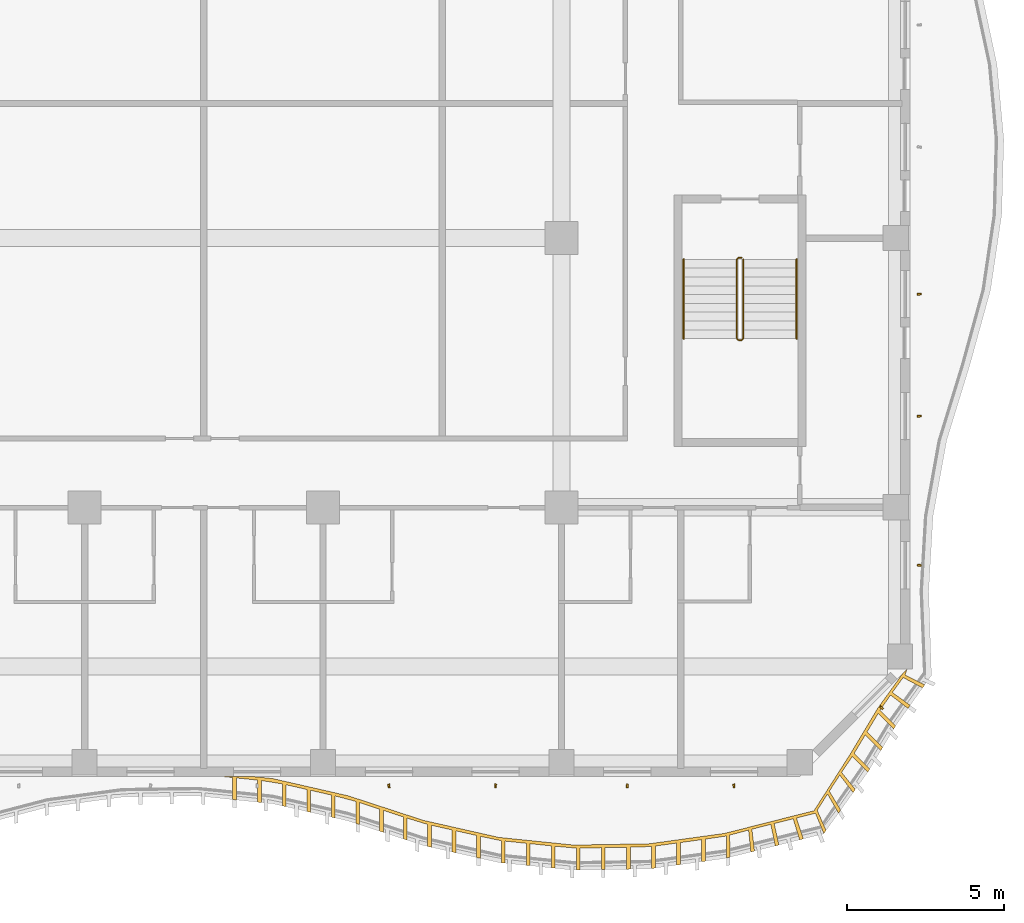
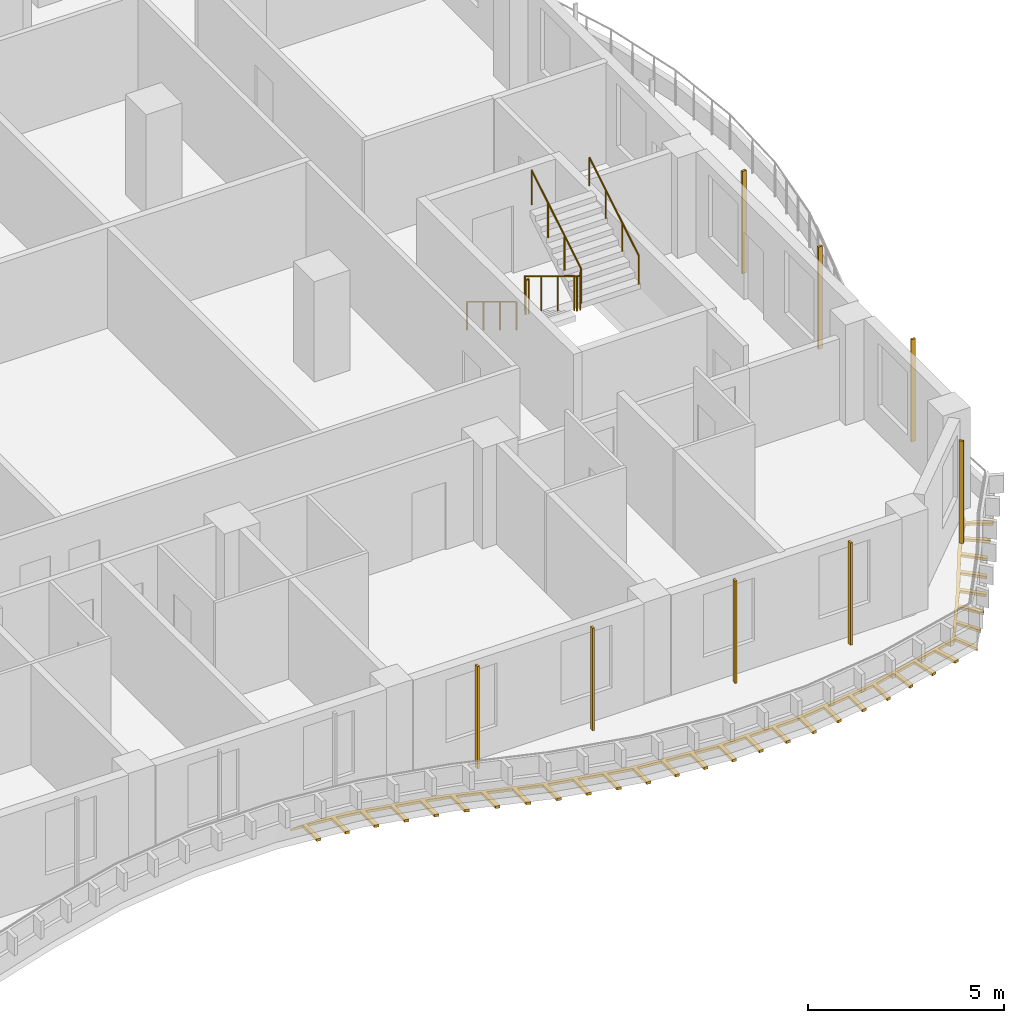
# One storey, part 18 of 21: 9 shading devices, 3 railings.
"""IFC4 building model written with IfcOpenShell, lengths in metres."""

from ifc_helpers import new_model, si_unit, direction, frame, origin, origin_2d, place, context, subcontext, project, spatial, polyline, rectangle, circle, outline, extrude, source, transform, mapped, material, layer, layer_set, material_profile, profile_set, type_object, element, save


model = new_model("IFC4")

# Units and contexts
model_context = context("Model", 3, precision=1e-05, world=origin(), true_north=direction((0.0, 1.0)))
body_context = subcontext(model_context, "Body", "Model", "MODEL_VIEW")
ifc_project = project(units=[si_unit("LENGTHUNIT", "METRE"), si_unit("AREAUNIT", "SQUARE_METRE"), si_unit("VOLUMEUNIT", "CUBIC_METRE"), si_unit("PLANEANGLEUNIT", "RADIAN"), si_unit("MASSUNIT", "GRAM", prefix="KILO")], contexts=[model_context])

# Site, building, storey
site_placement = place(None, origin())
site = spatial("IfcSite", under=ifc_project, at=site_placement, CompositionType="ELEMENT")
building_placement = place(site_placement, origin())
building = spatial("IfcBuilding", under=site, at=building_placement, Name="Kilnfold Tower and Market Hall", CompositionType="ELEMENT")
storey_placement = place(building_placement, frame((0.0, 0.0, 185.5)))
storey = spatial("IfcBuildingStorey", under=building, at=storey_placement, Name="L44", CompositionType="ELEMENT", Elevation=185.5)

# Railings
ifc_material_1 = material(Name="Stainless steel 316", Category="steel")
railing_type_1 = type_object("IfcRailingType", Name="CORE STAIR GUARD 1100", PredefinedType="GUARDRAIL", material=ifc_material_1)
railing_1_placement = place(storey_placement, frame((19.89990234375, -9.75, 0.0)))
element("IfcRailing", 1, at=railing_1_placement, inside=storey, type_object=railing_type_1, Name="L44 ST4 stair guard 1", PredefinedType="GUARDRAIL", context=body_context, shape_type="SweptSolid", body=[
    extrude(circle(Radius=0.02392578125, at=origin_2d()), frame((0.0, 0.0, 1.076171875), z_axis=(-1.0, 0.0, 0.0), x_axis=(0.0, -1.0, 0.0)), (0.0, 0.0, 1.0), 0.099853515625),
    extrude(circle(Radius=0.02392578125, at=origin_2d()), frame((-0.099853515625, 0.0, 1.076171875), z_axis=(-0.271895245746, -0.271895245746, 0.923117517265), x_axis=(0.707106781187, -0.707106781187, 0.0)), (0.0, 0.0, 1.0), 0.18408203125),
    extrude(circle(Radius=0.02392578125, at=origin_2d()), frame((-0.14990234375, -0.050048828125, 1.24609375), z_axis=(0.0, -0.85478489116, 0.518982456201), x_axis=(1.0, 0.0, 0.0)), (0.0, 0.0, 1.0), 2.9482421875),
    extrude(circle(Radius=0.02392578125, at=origin_2d()), frame((-0.14990234375, -2.570068359375, 2.77587890625), z_axis=(0.707106781187, -0.707106781187, 0.0), x_axis=(0.707106781187, 0.707106781187, 0.0)), (0.0, 0.0, 1.0), 0.07080078125),
    extrude(circle(Radius=0.02392578125, at=origin_2d()), frame((-0.099853515625, -2.6201171875, 2.77587890625), z_axis=(1.0, 0.0, 0.0), x_axis=(0.0, 1.0, 0.0)), (0.0, 0.0, 1.0), 0.099853515625),
    extrude(circle(Radius=0.02392578125, at=origin_2d()), frame((0.0, -2.6201171875, 2.77587890625), z_axis=(0.271562723297, 0.271562723297, 0.923313259209), x_axis=(-0.707106781187, 0.707106781187, 0.0)), (0.0, 0.0, 1.0), 0.184326171875),
    extrude(circle(Radius=0.02392578125, at=origin_2d()), frame((0.050048828125, -2.570068359375, 2.9462890625), z_axis=(0.0, 0.854821627497, 0.518921945155), x_axis=(-1.0, 0.0, 0.0)), (0.0, 0.0, 1.0), 2.947998046875),
    extrude(circle(Radius=0.02099609375, at=origin_2d()), origin(), (0.0, 0.0, 1.0), 1.052001953125),
    extrude(circle(Radius=0.02099609375, at=origin_2d()), frame((-0.099853515625, 0.0, 0.0)), (0.0, 0.0, 1.0), 1.052001953125),
    extrude(circle(Radius=0.02099609375, at=origin_2d()), frame((-0.14990234375, -0.050048828125, 0.169921875)), (0.0, 0.0, 1.0), 1.052001953125),
    extrude(circle(Radius=0.02099609375, at=origin_2d()), frame((-0.14990234375, -0.89013671875, 0.679931640625)), (0.0, 0.0, 1.0), 1.052001953125),
    extrude(circle(Radius=0.02099609375, at=origin_2d()), frame((-0.14990234375, -1.72998046875, 1.18994140625)), (0.0, 0.0, 1.0), 1.052001953125),
    extrude(circle(Radius=0.02099609375, at=origin_2d()), frame((-0.14990234375, -2.570068359375, 1.699951171875)), (0.0, 0.0, 1.0), 1.052001953125),
    extrude(circle(Radius=0.02099609375, at=origin_2d()), frame((-0.099853515625, -2.6201171875, 1.699951171875)), (0.0, 0.0, 1.0), 1.052001953125),
    extrude(circle(Radius=0.02099609375, at=origin_2d()), frame((0.0, -2.6201171875, 1.699951171875)), (0.0, 0.0, 1.0), 1.052001953125),
    extrude(circle(Radius=0.02099609375, at=origin_2d()), frame((0.050048828125, -2.570068359375, 1.8701171875)), (0.0, 0.0, 1.0), 1.052001953125),
    extrude(circle(Radius=0.02099609375, at=origin_2d()), frame((0.050048828125, -1.72998046875, 2.380126953125)), (0.0, 0.0, 1.0), 1.052001953125),
    extrude(circle(Radius=0.02099609375, at=origin_2d()), frame((0.050048828125, -0.89013671875, 2.889892578125)), (0.0, 0.0, 1.0), 1.052001953125),
    extrude(circle(Radius=0.02099609375, at=origin_2d()), frame((0.050048828125, -0.050048828125, 3.39990234375)), (0.0, 0.0, 1.0), 1.052001953125),
])
ifc_material_2 = material(Name="Stainless steel 316", Category="steel")
railing_type_2 = type_object("IfcRailingType", Name="CORE STAIR HANDRAIL 900", PredefinedType="HANDRAIL", material=ifc_material_2)
railing_2_placement = place(storey_placement, frame((18.050048828125, -9.800048828125, 0.169921875)))
element("IfcRailing", 2, at=railing_2_placement, inside=storey, type_object=railing_type_2, Name="L44 ST4 stair handrail 1", PredefinedType="HANDRAIL", context=body_context, shape_type="SweptSolid", body=[
    extrude(circle(Radius=0.02392578125, at=origin_2d()), frame((0.0, 0.0, 0.8759765625), z_axis=(0.0, -0.85478489116, 0.518982456201), x_axis=(1.0, 0.0, 0.0)), (0.0, 0.0, 1.0), 2.9482421875),
    extrude(circle(Radius=0.02099609375, at=origin_2d()), origin(), (0.0, 0.0, 1.0), 0.851806640625),
    extrude(circle(Radius=0.02099609375, at=origin_2d()), frame((0.0, -0.840087890625, 0.510009765625)), (0.0, 0.0, 1.0), 0.851806640625),
    extrude(circle(Radius=0.02099609375, at=origin_2d()), frame((0.0, -1.679931640625, 1.02001953125)), (0.0, 0.0, 1.0), 0.851806640625),
    extrude(circle(Radius=0.02099609375, at=origin_2d()), frame((0.0, -2.52001953125, 1.530029296875)), (0.0, 0.0, 1.0), 0.851806640625),
])
railing_3_placement = place(storey_placement, frame((21.64990234375, -12.320068359375, 1.8701171875)))
element("IfcRailing", 3, at=railing_3_placement, inside=storey, type_object=railing_type_2, Name="L44 ST4 stair handrail 2", PredefinedType="HANDRAIL", context=body_context, shape_type="SweptSolid", body=[
    extrude(circle(Radius=0.02392578125, at=origin_2d()), frame((0.0, 0.0, 0.8759765625), z_axis=(0.0, 0.854821627497, 0.518921945155), x_axis=(-1.0, 0.0, 0.0)), (0.0, 0.0, 1.0), 2.947998046875),
    extrude(circle(Radius=0.02099609375, at=origin_2d()), origin(), (0.0, 0.0, 1.0), 0.851806640625),
    extrude(circle(Radius=0.02099609375, at=origin_2d()), frame((0.0, 0.840087890625, 0.510009765625)), (0.0, 0.0, 1.0), 0.851806640625),
    extrude(circle(Radius=0.02099609375, at=origin_2d()), frame((0.0, 1.679931640625, 1.019775390625)), (0.0, 0.0, 1.0), 0.851806640625),
    extrude(circle(Radius=0.02099609375, at=origin_2d()), frame((0.0, 2.52001953125, 1.52978515625)), (0.0, 0.0, 1.0), 0.851806640625),
])

# Shading devices
ifc_material_3 = material(Name="Terracotta", Category="masonry")
ifc_material_profile = material_profile(ifc_material_3, rectangle(XDim=0.06005859375, YDim=0.1201171875, at=origin_2d()), Name="BAG 60x120")
ifc_profile_set = profile_set([ifc_material_profile], Name="Terracotta")
shading_device_type_1 = type_object("IfcShadingDeviceType", Name="BAGUETTE", PredefinedType="USERDEFINED", material=ifc_profile_set)
shared_shape_1 = source(origin(), body_context, "Body", "SweptSolid", [
    extrude(rectangle(XDim=0.06005859375, YDim=0.1201171875, at=origin_2d()), origin(), (0.0, 0.0, 1.0), 3.179931640625),
])
for number, where, z_axis, x_axis, name in (
    (4, (8.67919921875, -26.550048828125, 0.0), (0.0, 0.0, 1.0), (0.990494104356, 0.137555186148, 0.0), "Terracotta baguette L44 S"),
    (5, (12.07080078125, -26.550048828125, 0.0), (0.0, 0.0, 1.0), (0.999893935574, -0.01456425767, 0.0), "Terracotta baguette L44 S"),
    (6, (16.262451171875, -26.550048828125, 0.0), (0.0, 0.0, 1.0), (0.991847359542, -0.127431610561, 0.0), "Terracotta baguette L44 S"),
    (7, (19.654296875, -26.550048828125, 0.0), (0.0, 0.0, 1.0), (0.998749901832, 0.049986334032, 0.0), "Terracotta baguette L44 S"),
    (8, (24.35498046875, -24.0693359375, 0.0), (0.0, 0.0, 1.0), (0.67576905178, 0.737113416414, 0.0), "Terracotta baguette L44 SE"),
    (9, (25.550048828125, -19.53173828125, 0.0), (0.0, 0.0, 1.0), (0.134513691959, 0.990911735058, 0.0), "Terracotta baguette L44 E"),
    (10, (25.550048828125, -14.78759765625, 0.0), (0.0, 0.0, 1.0), (-0.101789028145, 0.994806008099, 0.0), "Terracotta baguette L44 E"),
    (11, (25.550048828125, -10.90625, 0.0), (0.0, 0.0, 1.0), (-0.076553709466, 0.997065459018, 0.0), "Terracotta baguette L44 E"),
):
    element("IfcShadingDevice", number, at=place(storey_placement, frame(where, z_axis=z_axis, x_axis=x_axis)), inside=storey, type_object=shading_device_type_1, Name=name, ObjectType="BAGUETTE", PredefinedType="USERDEFINED", context=body_context, shape_type="MappedRepresentation", body=[
        mapped(shared_shape_1, transform((0.0, 0.0, 0.0))),
    ])
ifc_material_4 = material(Name="Bronze anodised aluminium", Category="aluminium")
ifc_layer = layer(ifc_material_4, 0.080078125)
ifc_layer_set = layer_set([ifc_layer], Name="Bronze anodised aluminium")
shading_device_type_2 = type_object("IfcShadingDeviceType", Name="BRONZE SLAT SOFFIT 80", PredefinedType="USERDEFINED", material=ifc_layer_set)
shared_shape_2 = source(origin(), body_context, "Body", "SweptSolid", [
    extrude(outline(polyline([(4.98681640625, -26.318603515625), (7.381591796875, -26.864990234375), (9.7763671875, -27.646484375), (12.171142578125, -28.187744140625), (14.56591796875, -28.43212890625), (16.96044921875, -28.390625), (19.355224609375, -28.06103515625), (22.201171875, -27.339111328125), (23.36083984375, -25.52734375), (24.2353515625, -24.068603515625), (25.017578125, -22.982421875), (25.156494140625, -22.843505859375), (25.099365234375, -23.022216796875), (25.724853515625, -23.33642578125), (25.6552734375, -23.43408203125), (25.03759765625, -23.10498046875), (24.694091796875, -23.577392578125), (25.260986328125, -23.988037109375), (25.19140625, -24.0859375), (24.634765625, -23.66162109375), (24.302490234375, -24.145263671875), (24.797607421875, -24.64013671875), (24.73583984375, -24.7431640625), (24.24072265625, -24.248291015625), (23.89111328125, -24.831298828125), (24.38623046875, -25.326416015625), (24.324462890625, -25.42919921875), (23.82958984375, -24.934326171875), (23.479736328125, -25.517578125), (23.974853515625, -26.012451171875), (23.911376953125, -26.1142578125), (23.41845703125, -25.6171875), (23.07958984375, -26.119873046875), (23.515869140625, -26.66748046875), (23.446044921875, -26.76513671875), (23.020751953125, -26.209228515625), (22.689208984375, -26.71875), (23.050537109375, -27.318115234375), (22.980712890625, -27.415771484375), (22.631103515625, -26.809326171875), (22.3037109375, -27.328125), (22.585205078125, -27.968994140625), (22.515380859375, -28.066650390625), (22.24609375, -27.42041015625), (21.6455078125, -27.57275390625), (21.861083984375, -28.23876953125), (21.74462890625, -28.267578125), (21.538818359375, -27.5986328125), (20.934814453125, -27.747802734375), (21.084716796875, -28.431396484375), (20.96826171875, -28.46044921875), (20.828369140625, -27.7744140625), (20.225830078125, -27.92919921875), (20.308349609375, -28.624267578125), (20.19189453125, -28.6533203125), (20.11962890625, -27.95703125), (19.516845703125, -28.1171875), (19.53173828125, -28.817138671875), (19.415283203125, -28.84619140625), (19.410400390625, -28.14599609375), (18.742919921875, -28.245361328125), (18.742919921875, -28.9453125), (18.6240234375, -28.961669921875), (18.6240234375, -28.26171875), (17.950439453125, -28.3544921875), (17.950439453125, -29.054443359375), (17.83154296875, -29.07080078125), (17.83154296875, -28.37060546875), (17.157958984375, -28.46337890625), (17.157958984375, -29.163330078125), (17.0390625, -29.1796875), (17.0390625, -28.479736328125), (16.35986328125, -28.5009765625), (16.35986328125, -29.200927734375), (16.239990234375, -29.203125), (16.239990234375, -28.503173828125), (15.56005859375, -28.514892578125), (15.56005859375, -29.21484375), (15.43994140625, -29.217041015625), (15.43994140625, -28.51708984375), (14.760009765625, -28.52880859375), (14.760009765625, -29.228759765625), (14.64013671875, -29.23095703125), (14.64013671875, -28.531005859375), (13.96337890625, -28.470703125), (13.96337890625, -29.170654296875), (13.843994140625, -29.158447265625), (13.843994140625, -28.45849609375), (13.16748046875, -28.389404296875), (13.16748046875, -29.08935546875), (13.048095703125, -29.0771484375), (13.048095703125, -28.377197265625), (12.37158203125, -28.30810546875), (12.37158203125, -29.00830078125), (12.252197265625, -28.99609375), (12.252197265625, -28.2958984375), (11.58740234375, -28.15576171875), (11.58740234375, -28.855712890625), (11.47021484375, -28.829345703125), (11.47021484375, -28.12939453125), (10.806884765625, -27.9794921875), (10.806884765625, -28.679443359375), (10.68994140625, -28.65283203125), (10.68994140625, -27.952880859375), (10.026611328125, -27.802978515625), (10.026611328125, -28.5029296875), (9.90966796875, -28.4765625), (9.90966796875, -27.776611328125), (9.259765625, -27.577880859375), (9.259765625, -28.27783203125), (9.145751953125, -28.240478515625), (9.145751953125, -27.54052734375), (8.499267578125, -27.32958984375), (8.499267578125, -28.02978515625), (8.38525390625, -27.992431640625), (8.38525390625, -27.29248046875), (7.73876953125, -27.08154296875), (7.73876953125, -27.781494140625), (7.624755859375, -27.744140625), (7.624755859375, -27.044189453125), (6.968017578125, -26.87060546875), (6.968017578125, -27.570556640625), (6.850830078125, -27.543701171875), (6.850830078125, -26.84375), (6.18798828125, -26.692626953125), (6.18798828125, -27.392578125), (6.071044921875, -27.365966796875), (6.071044921875, -26.666015625), (5.407958984375, -26.5146484375), (5.407958984375, -27.214599609375), (5.291015625, -27.18798828125), (5.291015625, -26.488037109375), (4.620849609375, -26.380615234375), (4.620849609375, -27.08056640625), (4.50146484375, -27.068115234375), (4.50146484375, -26.3681640625), (3.8251953125, -26.2978515625), (3.8251953125, -26.997802734375), (3.705810546875, -26.9853515625), (3.705810546875, -26.285400390625), (3.365966796875, -26.25), (4.327392578125, -26.25), (4.98681640625, -26.318603515625)])), origin(), (0.0, 0.0, 1.0), 0.080078125),
])
shading_device_placement = place(storey_placement, frame((0.0, 0.0, -0.300048828125)))
element("IfcShadingDevice", 12, at=shading_device_placement, inside=storey, type_object=shading_device_type_2, Name="Balcony soffit slats L44", ObjectType="SLAT", PredefinedType="USERDEFINED", context=body_context, shape_type="MappedRepresentation", body=[
    mapped(shared_shape_2, transform((0.0, 0.0, 0.0))),
])

save(model, "model.ifc")
